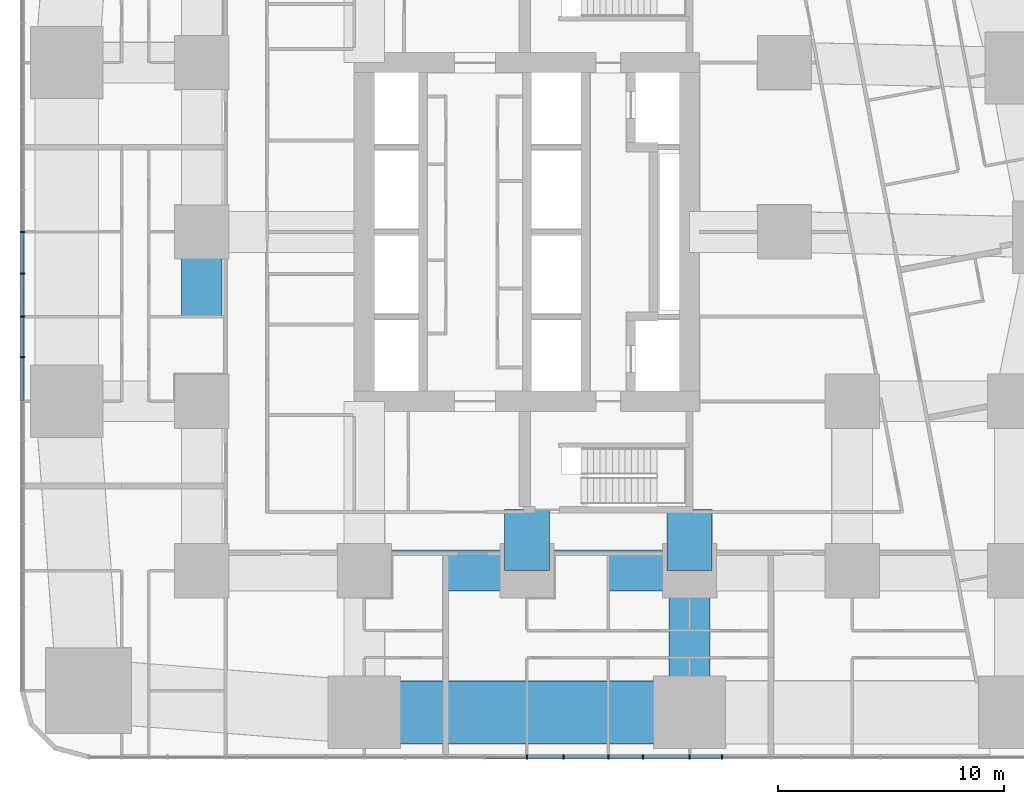
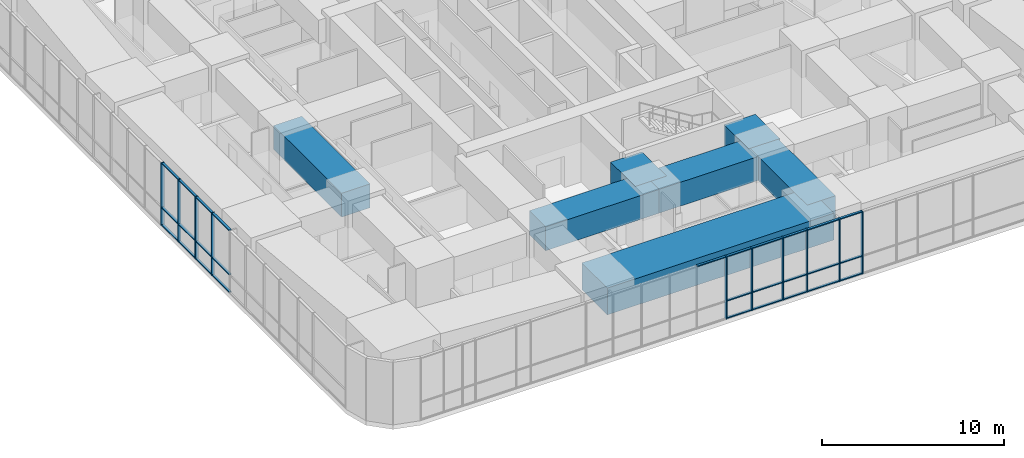
# One storey, part 3 of 23: 38 members, 7 beams, 2 elements without a shape of their own.
"""IFC4 building model written with IfcOpenShell, lengths in metres."""

from ifc_helpers import new_model, si_unit, direction, frame, origin, origin_2d, place, context, subcontext, project, spatial, rectangle, extrude, material, material_profile, profile_set, type_object, element, aggregate, save


model = new_model("IFC4")

# Units and contexts
model_context = context("Model", 3, precision=1e-05, world=origin(), true_north=direction((0.0, 1.0)))
body_context = subcontext(model_context, "Body", "Model", "MODEL_VIEW")
ifc_project = project(units=[si_unit("LENGTHUNIT", "METRE"), si_unit("AREAUNIT", "SQUARE_METRE"), si_unit("VOLUMEUNIT", "CUBIC_METRE"), si_unit("PLANEANGLEUNIT", "RADIAN"), si_unit("MASSUNIT", "GRAM", prefix="KILO")], contexts=[model_context])

# Site, building, storey
site_placement = place(None, origin())
site = spatial("IfcSite", under=ifc_project, at=site_placement, CompositionType="ELEMENT")
building_placement = place(site_placement, origin())
building = spatial("IfcBuilding", under=site, at=building_placement, Name="Sheger Commons Tower", CompositionType="ELEMENT")
storey_placement = place(building_placement, frame((0.0, 0.0, 5.60009765625)))
storey = spatial("IfcBuildingStorey", under=building, at=storey_placement, Name="L01", CompositionType="ELEMENT", Elevation=5.60009765625)

# Beams
ifc_material_1 = material(Name="Concrete C50/60", Category="concrete")
ifc_material_profile_1 = material_profile(ifc_material_1, rectangle(XDim=1.800048828125, YDim=1.60009765625, at=origin_2d()), Name="RC 1800x1600")
ifc_profile_set_1 = profile_set([ifc_material_profile_1], Name="Concrete C50/60")
beam_type_1 = type_object("IfcBeamType", Name="BEAM RC 1800x1600", PredefinedType="BEAM", material=ifc_profile_set_1)
beam_1_placement = place(storey_placement, frame((14.39990234375, 7.5, 3.39990234375), z_axis=(1.0, 0.0, 0.0), x_axis=(0.0, 1.0, 0.0)))
element("IfcBeam", 1, at=beam_1_placement, inside=storey, type_object=beam_type_1, Name="Beam 3/B-4/B under L02", PredefinedType="BEAM", context=body_context, shape_type="SweptSolid", body=[
    extrude(rectangle(XDim=1.800048828125, YDim=1.60009765625, at=origin_2d()), origin(), (0.0, 0.0, 1.0), 7.2001953125),
])
beam_2_placement = place(storey_placement, frame((21.60009765625, 7.5, 3.39990234375), z_axis=(1.0, 0.0, 0.0), x_axis=(0.0, 1.0, 0.0)))
element("IfcBeam", 2, at=beam_2_placement, inside=storey, type_object=beam_type_1, Name="Beam 4/B-5/B under L02", PredefinedType="BEAM", context=body_context, shape_type="SweptSolid", body=[
    extrude(rectangle(XDim=1.800048828125, YDim=1.60009765625, at=origin_2d()), origin(), (0.0, 0.0, 1.0), 7.199951171875),
])
beam_3_placement = place(storey_placement, frame((7.199951171875, 15.0, 3.39990234375), z_axis=(0.0, 1.0, 0.0), x_axis=(-1.0, 0.0, 0.0)))
element("IfcBeam", 3, at=beam_3_placement, inside=storey, type_object=beam_type_1, Name="Beam 2/C-2/D under L02", PredefinedType="BEAM", context=body_context, shape_type="SweptSolid", body=[
    extrude(rectangle(XDim=1.800048828125, YDim=1.60009765625, at=origin_2d()), origin(), (0.0, 0.0, 1.0), 7.5),
])
beam_4_placement = place(storey_placement, frame((28.800048828125, 1.22509765625, 3.39990234375), z_axis=(0.0, 1.0, 0.0), x_axis=(-1.0, 0.0, 0.0)))
element("IfcBeam", 4, at=beam_4_placement, inside=storey, type_object=beam_type_1, Name="Beam 5/A-5/B under L02", PredefinedType="BEAM", context=body_context, shape_type="SweptSolid", body=[
    extrude(rectangle(XDim=1.800048828125, YDim=1.60009765625, at=origin_2d()), origin(), (0.0, 0.0, 1.0), 6.27490234375),
])
ifc_material_2 = material(Name="Concrete C50/60", Category="concrete")
ifc_material_profile_2 = material_profile(ifc_material_2, rectangle(XDim=2.0, YDim=2.0, at=origin_2d()), Name="RC 2000x2000")
ifc_profile_set_2 = profile_set([ifc_material_profile_2], Name="Concrete C50/60")
beam_type_2 = type_object("IfcBeamType", Name="BEAM RC 2000x2000", PredefinedType="BEAM", material=ifc_profile_set_2)
for number, where, z_axis, x_axis, name in (
    (5, (21.60009765625, 7.5, 3.199951171875), (0.0, 1.0, 0.0), (-1.0, 0.0, 0.0), "Beam 4/B-21.600,10.200 under L02"),
    (6, (28.800048828125, 7.5, 3.199951171875), (0.0, 1.0, 0.0), (-1.0, 0.0, 0.0), "Beam 5/B-28.800,10.200 under L02"),
):
    element("IfcBeam", number, at=place(storey_placement, frame(where, z_axis=z_axis, x_axis=x_axis)), inside=storey, type_object=beam_type_2, Name=name, PredefinedType="BEAM", context=body_context, shape_type="SweptSolid", body=[
        extrude(rectangle(XDim=2.0, YDim=2.0, at=origin_2d()), origin(), (0.0, 0.0, 1.0), 2.699951171875),
    ])

# Curtain wall, members
ifc_material_3 = material(Name="Black aluminium curtain wall, dark tinted glazing", Category="aluminium")
curtain_wall_type = type_object("IfcCurtainWallType", Name="CURTAIN WALL CW2 HEALTH CENTRE", PredefinedType="USERDEFINED", material=ifc_material_3)
curtain_wall_1_placement = place(storey_placement, origin())
curtain_wall_1 = element("IfcCurtainWall", 7, at=curtain_wall_1_placement, inside=storey, type_object=curtain_wall_type, Name="Curtain Wall Cw2 Health Centre S1 L01", ObjectType="STICK CURTAIN WALL", PredefinedType="USERDEFINED")
ifc_material_4 = material(Name="Black anodised aluminium", Category="aluminium")
ifc_material_profile_3 = material_profile(ifc_material_4, rectangle(XDim=0.199951171875, YDim=0.06494140625, at=origin_2d()), Name="AL 65x200")
ifc_profile_set_3 = profile_set([ifc_material_profile_3], Name="Black anodised aluminium")
member_type_1 = type_object("IfcMemberType", Name="MULLION AL 65x200", PredefinedType="MULLION", material=ifc_profile_set_3)
member_1_placement = place(storey_placement, frame((21.60009765625, -0.75, 0.0), z_axis=(0.0, 0.0, 1.0), x_axis=(0.0, 1.0, 0.0)))
member_1 = element("IfcMember", 8, at=member_1_placement, type_object=member_type_1, Name="CW2 mullion 12", PredefinedType="MULLION", context=body_context, shape_type="SweptSolid", body=[
    extrude(rectangle(XDim=0.199951171875, YDim=0.06494140625, at=origin_2d()), origin(), (0.0, 0.0, 1.0), 4.199951171875),
])
member_2_placement = place(storey_placement, frame((23.221923828125, -0.75, 0.0), z_axis=(0.0, 0.0, 1.0), x_axis=(0.0, 1.0, 0.0)))
member_2 = element("IfcMember", 9, at=member_2_placement, type_object=member_type_1, Name="CW2 mullion 13", PredefinedType="MULLION", context=body_context, shape_type="SweptSolid", body=[
    extrude(rectangle(XDim=0.199951171875, YDim=0.06494140625, at=origin_2d()), origin(), (0.0, 0.0, 1.0), 4.199951171875),
])
member_3_placement = place(storey_placement, frame((25.199951171875, -0.75, 0.0), z_axis=(0.0, 0.0, 1.0), x_axis=(0.0, 1.0, 0.0)))
member_3 = element("IfcMember", 10, at=member_3_placement, type_object=member_type_1, Name="CW2 mullion 14", PredefinedType="MULLION", context=body_context, shape_type="SweptSolid", body=[
    extrude(rectangle(XDim=0.199951171875, YDim=0.06494140625, at=origin_2d()), origin(), (0.0, 0.0, 1.0), 4.199951171875),
])
member_4_placement = place(storey_placement, frame((26.73193359375, -0.75, 0.0), z_axis=(0.0, 0.0, 1.0), x_axis=(0.0, 1.0, 0.0)))
member_4 = element("IfcMember", 11, at=member_4_placement, type_object=member_type_1, Name="CW2 mullion 15", PredefinedType="MULLION", context=body_context, shape_type="SweptSolid", body=[
    extrude(rectangle(XDim=0.199951171875, YDim=0.06494140625, at=origin_2d()), origin(), (0.0, 0.0, 1.0), 4.199951171875),
])
member_5_placement = place(storey_placement, frame((28.800048828125, -0.75, 0.0), z_axis=(0.0, 0.0, 1.0), x_axis=(0.0, 1.0, 0.0)))
member_5 = element("IfcMember", 12, at=member_5_placement, type_object=member_type_1, Name="CW2 mullion 16", PredefinedType="MULLION", context=body_context, shape_type="SweptSolid", body=[
    extrude(rectangle(XDim=0.199951171875, YDim=0.06494140625, at=origin_2d()), origin(), (0.0, 0.0, 1.0), 4.199951171875),
])
member_6_placement = place(storey_placement, frame((30.241943359375, -0.75, 0.0), z_axis=(0.0, 0.0, 1.0), x_axis=(0.0, 1.0, 0.0)))
member_6 = element("IfcMember", 13, at=member_6_placement, type_object=member_type_1, Name="CW2 mullion 17", PredefinedType="MULLION", context=body_context, shape_type="SweptSolid", body=[
    extrude(rectangle(XDim=0.199951171875, YDim=0.06494140625, at=origin_2d()), origin(), (0.0, 0.0, 1.0), 4.199951171875),
])

curtain_wall_2_placement = place(storey_placement, origin())
curtain_wall_2 = element("IfcCurtainWall", 14, at=curtain_wall_2_placement, inside=storey, type_object=curtain_wall_type, Name="Curtain Wall Cw2 Health Centre W1 L01", ObjectType="STICK CURTAIN WALL", PredefinedType="USERDEFINED")
member_7_placement = place(storey_placement, frame((-0.75, 22.5, 0.0), z_axis=(0.0, 0.0, 1.0), x_axis=(1.0, 0.0, 0.0)))
member_7 = element("IfcMember", 15, at=member_7_placement, type_object=member_type_1, Name="CW2 mullion 11", PredefinedType="MULLION", context=body_context, shape_type="SweptSolid", body=[
    extrude(rectangle(XDim=0.199951171875, YDim=0.06494140625, at=origin_2d()), origin(), (0.0, 0.0, 1.0), 4.199951171875),
])
member_8_placement = place(storey_placement, frame((-0.75, 20.65087890625, 0.0), z_axis=(0.0, 0.0, 1.0), x_axis=(1.0, 0.0, 0.0)))
member_8 = element("IfcMember", 16, at=member_8_placement, type_object=member_type_1, Name="CW2 mullion 12", PredefinedType="MULLION", context=body_context, shape_type="SweptSolid", body=[
    extrude(rectangle(XDim=0.199951171875, YDim=0.06494140625, at=origin_2d()), origin(), (0.0, 0.0, 1.0), 4.199951171875),
])
member_9_placement = place(storey_placement, frame((-0.75, 18.75, 0.0), z_axis=(0.0, 0.0, 1.0), x_axis=(1.0, 0.0, 0.0)))
member_9 = element("IfcMember", 17, at=member_9_placement, type_object=member_type_1, Name="CW2 mullion 13", PredefinedType="MULLION", context=body_context, shape_type="SweptSolid", body=[
    extrude(rectangle(XDim=0.199951171875, YDim=0.06494140625, at=origin_2d()), origin(), (0.0, 0.0, 1.0), 4.199951171875),
])
member_10_placement = place(storey_placement, frame((-0.75, 16.9541015625, 0.0), z_axis=(0.0, 0.0, 1.0), x_axis=(1.0, 0.0, 0.0)))
member_10 = element("IfcMember", 18, at=member_10_placement, type_object=member_type_1, Name="CW2 mullion 14", PredefinedType="MULLION", context=body_context, shape_type="SweptSolid", body=[
    extrude(rectangle(XDim=0.199951171875, YDim=0.06494140625, at=origin_2d()), origin(), (0.0, 0.0, 1.0), 4.199951171875),
])

# Beam
ifc_material_5 = material(Name="Concrete C50/60", Category="concrete")
ifc_material_profile_4 = material_profile(ifc_material_5, rectangle(XDim=2.800048828125, YDim=1.800048828125, at=origin_2d()), Name="RC 2800x1800")
ifc_profile_set_4 = profile_set([ifc_material_profile_4], Name="Concrete C50/60")
beam_type_3 = type_object("IfcBeamType", Name="SPANDREL RC 2800x1800", PredefinedType="SPANDREL", material=ifc_profile_set_4)
beam_5_placement = place(storey_placement, frame((14.39990234375, 1.22509765625, 3.2998046875), z_axis=(1.0, 0.0, 0.0), x_axis=(0.0, 1.0, 0.0)))
element("IfcBeam", 19, at=beam_5_placement, inside=storey, type_object=beam_type_3, Name="Beam 3/A-5/A under L02", PredefinedType="SPANDREL", context=body_context, shape_type="SweptSolid", body=[
    extrude(rectangle(XDim=2.800048828125, YDim=1.800048828125, at=origin_2d()), origin(), (0.0, 0.0, 1.0), 14.400146484375),
])

# Member
ifc_material_6 = material(Name="Black anodised aluminium", Category="aluminium")
ifc_material_profile_5 = material_profile(ifc_material_6, rectangle(XDim=0.14990234375, YDim=0.06494140625, at=origin_2d()), Name="AL 65x150")
ifc_profile_set_5 = profile_set([ifc_material_profile_5], Name="Black anodised aluminium")
member_type_2 = type_object("IfcMemberType", Name="TRANSOM AL 65x150", PredefinedType="USERDEFINED", material=ifc_profile_set_5)
member_11_placement = place(storey_placement, frame((19.744384765625, -0.75, 4.16748046875), z_axis=(1.0, 0.0, 0.0), x_axis=(0.0, 1.0, 0.0)))
member_11 = element("IfcMember", 20, at=member_11_placement, type_object=member_type_2, Name="CW2 transom 11.3", ObjectType="TRANSOM", PredefinedType="USERDEFINED", context=body_context, shape_type="SweptSolid", body=[
    extrude(rectangle(XDim=0.14990234375, YDim=0.06494140625, at=origin_2d()), origin(), (0.0, 0.0, 1.0), 1.822998046875),
])

member_12_placement = place(storey_placement, frame((21.632568359375, -0.75, 0.032470703125), z_axis=(1.0, 0.0, 0.0), x_axis=(0.0, 1.0, 0.0)))
member_12 = element("IfcMember", 21, at=member_12_placement, type_object=member_type_2, Name="CW2 transom 12.1", ObjectType="TRANSOM", PredefinedType="USERDEFINED", context=body_context, shape_type="SweptSolid", body=[
    extrude(rectangle(XDim=0.14990234375, YDim=0.06494140625, at=origin_2d()), origin(), (0.0, 0.0, 1.0), 1.556884765625),
])

member_13_placement = place(storey_placement, frame((21.632568359375, -0.75, 1.199951171875), z_axis=(1.0, 0.0, 0.0), x_axis=(0.0, 1.0, 0.0)))
member_13 = element("IfcMember", 22, at=member_13_placement, type_object=member_type_2, Name="CW2 transom 12.2", ObjectType="TRANSOM", PredefinedType="USERDEFINED", context=body_context, shape_type="SweptSolid", body=[
    extrude(rectangle(XDim=0.14990234375, YDim=0.06494140625, at=origin_2d()), origin(), (0.0, 0.0, 1.0), 1.556884765625),
])

member_14_placement = place(storey_placement, frame((21.632568359375, -0.75, 4.16748046875), z_axis=(1.0, 0.0, 0.0), x_axis=(0.0, 1.0, 0.0)))
member_14 = element("IfcMember", 23, at=member_14_placement, type_object=member_type_2, Name="CW2 transom 12.3", ObjectType="TRANSOM", PredefinedType="USERDEFINED", context=body_context, shape_type="SweptSolid", body=[
    extrude(rectangle(XDim=0.14990234375, YDim=0.06494140625, at=origin_2d()), origin(), (0.0, 0.0, 1.0), 1.556884765625),
])

member_15_placement = place(storey_placement, frame((23.25439453125, -0.75, 0.032470703125), z_axis=(1.0, 0.0, 0.0), x_axis=(0.0, 1.0, 0.0)))
member_15 = element("IfcMember", 24, at=member_15_placement, type_object=member_type_2, Name="CW2 transom 13.1", ObjectType="TRANSOM", PredefinedType="USERDEFINED", context=body_context, shape_type="SweptSolid", body=[
    extrude(rectangle(XDim=0.14990234375, YDim=0.06494140625, at=origin_2d()), origin(), (0.0, 0.0, 1.0), 1.9130859375),
])

member_16_placement = place(storey_placement, frame((23.25439453125, -0.75, 1.199951171875), z_axis=(1.0, 0.0, 0.0), x_axis=(0.0, 1.0, 0.0)))
member_16 = element("IfcMember", 25, at=member_16_placement, type_object=member_type_2, Name="CW2 transom 13.2", ObjectType="TRANSOM", PredefinedType="USERDEFINED", context=body_context, shape_type="SweptSolid", body=[
    extrude(rectangle(XDim=0.14990234375, YDim=0.06494140625, at=origin_2d()), origin(), (0.0, 0.0, 1.0), 1.9130859375),
])

member_17_placement = place(storey_placement, frame((23.25439453125, -0.75, 4.16748046875), z_axis=(1.0, 0.0, 0.0), x_axis=(0.0, 1.0, 0.0)))
member_17 = element("IfcMember", 26, at=member_17_placement, type_object=member_type_2, Name="CW2 transom 13.3", ObjectType="TRANSOM", PredefinedType="USERDEFINED", context=body_context, shape_type="SweptSolid", body=[
    extrude(rectangle(XDim=0.14990234375, YDim=0.06494140625, at=origin_2d()), origin(), (0.0, 0.0, 1.0), 1.9130859375),
])

member_18_placement = place(storey_placement, frame((25.232421875, -0.75, 0.032470703125), z_axis=(1.0, 0.0, 0.0), x_axis=(0.0, 1.0, 0.0)))
member_18 = element("IfcMember", 27, at=member_18_placement, type_object=member_type_2, Name="CW2 transom 14.1", ObjectType="TRANSOM", PredefinedType="USERDEFINED", context=body_context, shape_type="SweptSolid", body=[
    extrude(rectangle(XDim=0.14990234375, YDim=0.06494140625, at=origin_2d()), origin(), (0.0, 0.0, 1.0), 1.467041015625),
])

member_19_placement = place(storey_placement, frame((25.232421875, -0.75, 1.199951171875), z_axis=(1.0, 0.0, 0.0), x_axis=(0.0, 1.0, 0.0)))
member_19 = element("IfcMember", 28, at=member_19_placement, type_object=member_type_2, Name="CW2 transom 14.2", ObjectType="TRANSOM", PredefinedType="USERDEFINED", context=body_context, shape_type="SweptSolid", body=[
    extrude(rectangle(XDim=0.14990234375, YDim=0.06494140625, at=origin_2d()), origin(), (0.0, 0.0, 1.0), 1.467041015625),
])

member_20_placement = place(storey_placement, frame((25.232421875, -0.75, 4.16748046875), z_axis=(1.0, 0.0, 0.0), x_axis=(0.0, 1.0, 0.0)))
member_20 = element("IfcMember", 29, at=member_20_placement, type_object=member_type_2, Name="CW2 transom 14.3", ObjectType="TRANSOM", PredefinedType="USERDEFINED", context=body_context, shape_type="SweptSolid", body=[
    extrude(rectangle(XDim=0.14990234375, YDim=0.06494140625, at=origin_2d()), origin(), (0.0, 0.0, 1.0), 1.467041015625),
])

member_21_placement = place(storey_placement, frame((26.764404296875, -0.75, 0.032470703125), z_axis=(1.0, 0.0, 0.0), x_axis=(0.0, 1.0, 0.0)))
member_21 = element("IfcMember", 30, at=member_21_placement, type_object=member_type_2, Name="CW2 transom 15.1", ObjectType="TRANSOM", PredefinedType="USERDEFINED", context=body_context, shape_type="SweptSolid", body=[
    extrude(rectangle(XDim=0.14990234375, YDim=0.06494140625, at=origin_2d()), origin(), (0.0, 0.0, 1.0), 2.003173828125),
])

member_22_placement = place(storey_placement, frame((26.764404296875, -0.75, 1.199951171875), z_axis=(1.0, 0.0, 0.0), x_axis=(0.0, 1.0, 0.0)))
member_22 = element("IfcMember", 31, at=member_22_placement, type_object=member_type_2, Name="CW2 transom 15.2", ObjectType="TRANSOM", PredefinedType="USERDEFINED", context=body_context, shape_type="SweptSolid", body=[
    extrude(rectangle(XDim=0.14990234375, YDim=0.06494140625, at=origin_2d()), origin(), (0.0, 0.0, 1.0), 2.003173828125),
])

member_23_placement = place(storey_placement, frame((26.764404296875, -0.75, 4.16748046875), z_axis=(1.0, 0.0, 0.0), x_axis=(0.0, 1.0, 0.0)))
member_23 = element("IfcMember", 32, at=member_23_placement, type_object=member_type_2, Name="CW2 transom 15.3", ObjectType="TRANSOM", PredefinedType="USERDEFINED", context=body_context, shape_type="SweptSolid", body=[
    extrude(rectangle(XDim=0.14990234375, YDim=0.06494140625, at=origin_2d()), origin(), (0.0, 0.0, 1.0), 2.003173828125),
])

member_24_placement = place(storey_placement, frame((28.83251953125, -0.75, 0.032470703125), z_axis=(1.0, 0.0, 0.0), x_axis=(0.0, 1.0, 0.0)))
member_24 = element("IfcMember", 33, at=member_24_placement, type_object=member_type_2, Name="CW2 transom 16.1", ObjectType="TRANSOM", PredefinedType="USERDEFINED", context=body_context, shape_type="SweptSolid", body=[
    extrude(rectangle(XDim=0.14990234375, YDim=0.06494140625, at=origin_2d()), origin(), (0.0, 0.0, 1.0), 1.376953125),
])

member_25_placement = place(storey_placement, frame((28.83251953125, -0.75, 1.199951171875), z_axis=(1.0, 0.0, 0.0), x_axis=(0.0, 1.0, 0.0)))
member_25 = element("IfcMember", 34, at=member_25_placement, type_object=member_type_2, Name="CW2 transom 16.2", ObjectType="TRANSOM", PredefinedType="USERDEFINED", context=body_context, shape_type="SweptSolid", body=[
    extrude(rectangle(XDim=0.14990234375, YDim=0.06494140625, at=origin_2d()), origin(), (0.0, 0.0, 1.0), 1.376953125),
])

member_26_placement = place(storey_placement, frame((28.83251953125, -0.75, 4.16748046875), z_axis=(1.0, 0.0, 0.0), x_axis=(0.0, 1.0, 0.0)))
member_26 = element("IfcMember", 35, at=member_26_placement, type_object=member_type_2, Name="CW2 transom 16.3", ObjectType="TRANSOM", PredefinedType="USERDEFINED", context=body_context, shape_type="SweptSolid", body=[
    extrude(rectangle(XDim=0.14990234375, YDim=0.06494140625, at=origin_2d()), origin(), (0.0, 0.0, 1.0), 1.376953125),
])

aggregate(curtain_wall_1, [member_1, member_2, member_3, member_4, member_5, member_6, member_11, member_12, member_13, member_14, member_15, member_16, member_17, member_18, member_19, member_20, member_21, member_22, member_23, member_24, member_25, member_26])

member_27_placement = place(storey_placement, frame((-0.75, 22.467529296875, 0.032470703125), z_axis=(0.0, -1.0, 0.0), x_axis=(1.0, 0.0, 0.0)))
member_27 = element("IfcMember", 36, at=member_27_placement, type_object=member_type_2, Name="CW2 transom 11.1", ObjectType="TRANSOM", PredefinedType="USERDEFINED", context=body_context, shape_type="SweptSolid", body=[
    extrude(rectangle(XDim=0.14990234375, YDim=0.06494140625, at=origin_2d()), origin(), (0.0, 0.0, 1.0), 1.783935546875),
])

member_28_placement = place(storey_placement, frame((-0.75, 22.467529296875, 1.199951171875), z_axis=(0.0, -1.0, 0.0), x_axis=(1.0, 0.0, 0.0)))
member_28 = element("IfcMember", 37, at=member_28_placement, type_object=member_type_2, Name="CW2 transom 11.2", ObjectType="TRANSOM", PredefinedType="USERDEFINED", context=body_context, shape_type="SweptSolid", body=[
    extrude(rectangle(XDim=0.14990234375, YDim=0.06494140625, at=origin_2d()), origin(), (0.0, 0.0, 1.0), 1.783935546875),
])

member_29_placement = place(storey_placement, frame((-0.75, 22.467529296875, 4.16748046875), z_axis=(0.0, -1.0, 0.0), x_axis=(1.0, 0.0, 0.0)))
member_29 = element("IfcMember", 38, at=member_29_placement, type_object=member_type_2, Name="CW2 transom 11.3", ObjectType="TRANSOM", PredefinedType="USERDEFINED", context=body_context, shape_type="SweptSolid", body=[
    extrude(rectangle(XDim=0.14990234375, YDim=0.06494140625, at=origin_2d()), origin(), (0.0, 0.0, 1.0), 1.783935546875),
])

member_30_placement = place(storey_placement, frame((-0.75, 20.618408203125, 0.032470703125), z_axis=(0.0, -1.0, 0.0), x_axis=(1.0, 0.0, 0.0)))
member_30 = element("IfcMember", 39, at=member_30_placement, type_object=member_type_2, Name="CW2 transom 12.1", ObjectType="TRANSOM", PredefinedType="USERDEFINED", context=body_context, shape_type="SweptSolid", body=[
    extrude(rectangle(XDim=0.14990234375, YDim=0.06494140625, at=origin_2d()), origin(), (0.0, 0.0, 1.0), 1.8359375),
])

member_31_placement = place(storey_placement, frame((-0.75, 20.618408203125, 1.199951171875), z_axis=(0.0, -1.0, 0.0), x_axis=(1.0, 0.0, 0.0)))
member_31 = element("IfcMember", 40, at=member_31_placement, type_object=member_type_2, Name="CW2 transom 12.2", ObjectType="TRANSOM", PredefinedType="USERDEFINED", context=body_context, shape_type="SweptSolid", body=[
    extrude(rectangle(XDim=0.14990234375, YDim=0.06494140625, at=origin_2d()), origin(), (0.0, 0.0, 1.0), 1.8359375),
])

member_32_placement = place(storey_placement, frame((-0.75, 20.618408203125, 4.16748046875), z_axis=(0.0, -1.0, 0.0), x_axis=(1.0, 0.0, 0.0)))
member_32 = element("IfcMember", 41, at=member_32_placement, type_object=member_type_2, Name="CW2 transom 12.3", ObjectType="TRANSOM", PredefinedType="USERDEFINED", context=body_context, shape_type="SweptSolid", body=[
    extrude(rectangle(XDim=0.14990234375, YDim=0.06494140625, at=origin_2d()), origin(), (0.0, 0.0, 1.0), 1.8359375),
])

member_33_placement = place(storey_placement, frame((-0.75, 18.717529296875, 0.032470703125), z_axis=(0.0, -1.0, 0.0), x_axis=(1.0, 0.0, 0.0)))
member_33 = element("IfcMember", 42, at=member_33_placement, type_object=member_type_2, Name="CW2 transom 13.1", ObjectType="TRANSOM", PredefinedType="USERDEFINED", context=body_context, shape_type="SweptSolid", body=[
    extrude(rectangle(XDim=0.14990234375, YDim=0.06494140625, at=origin_2d()), origin(), (0.0, 0.0, 1.0), 1.73095703125),
])

member_34_placement = place(storey_placement, frame((-0.75, 18.717529296875, 1.199951171875), z_axis=(0.0, -1.0, 0.0), x_axis=(1.0, 0.0, 0.0)))
member_34 = element("IfcMember", 43, at=member_34_placement, type_object=member_type_2, Name="CW2 transom 13.2", ObjectType="TRANSOM", PredefinedType="USERDEFINED", context=body_context, shape_type="SweptSolid", body=[
    extrude(rectangle(XDim=0.14990234375, YDim=0.06494140625, at=origin_2d()), origin(), (0.0, 0.0, 1.0), 1.73095703125),
])

member_35_placement = place(storey_placement, frame((-0.75, 18.717529296875, 4.16748046875), z_axis=(0.0, -1.0, 0.0), x_axis=(1.0, 0.0, 0.0)))
member_35 = element("IfcMember", 44, at=member_35_placement, type_object=member_type_2, Name="CW2 transom 13.3", ObjectType="TRANSOM", PredefinedType="USERDEFINED", context=body_context, shape_type="SweptSolid", body=[
    extrude(rectangle(XDim=0.14990234375, YDim=0.06494140625, at=origin_2d()), origin(), (0.0, 0.0, 1.0), 1.73095703125),
])

member_36_placement = place(storey_placement, frame((-0.75, 16.92138671875, 0.032470703125), z_axis=(0.0, -1.0, 0.0), x_axis=(1.0, 0.0, 0.0)))
member_36 = element("IfcMember", 45, at=member_36_placement, type_object=member_type_2, Name="CW2 transom 14.1", ObjectType="TRANSOM", PredefinedType="USERDEFINED", context=body_context, shape_type="SweptSolid", body=[
    extrude(rectangle(XDim=0.14990234375, YDim=0.06494140625, at=origin_2d()), origin(), (0.0, 0.0, 1.0), 1.888916015625),
])

member_37_placement = place(storey_placement, frame((-0.75, 16.92138671875, 1.199951171875), z_axis=(0.0, -1.0, 0.0), x_axis=(1.0, 0.0, 0.0)))
member_37 = element("IfcMember", 46, at=member_37_placement, type_object=member_type_2, Name="CW2 transom 14.2", ObjectType="TRANSOM", PredefinedType="USERDEFINED", context=body_context, shape_type="SweptSolid", body=[
    extrude(rectangle(XDim=0.14990234375, YDim=0.06494140625, at=origin_2d()), origin(), (0.0, 0.0, 1.0), 1.888916015625),
])

member_38_placement = place(storey_placement, frame((-0.75, 16.92138671875, 4.16748046875), z_axis=(0.0, -1.0, 0.0), x_axis=(1.0, 0.0, 0.0)))
member_38 = element("IfcMember", 47, at=member_38_placement, type_object=member_type_2, Name="CW2 transom 14.3", ObjectType="TRANSOM", PredefinedType="USERDEFINED", context=body_context, shape_type="SweptSolid", body=[
    extrude(rectangle(XDim=0.14990234375, YDim=0.06494140625, at=origin_2d()), origin(), (0.0, 0.0, 1.0), 1.888916015625),
])

aggregate(curtain_wall_2, [member_7, member_8, member_9, member_10, member_27, member_28, member_29, member_30, member_31, member_32, member_33, member_34, member_35, member_36, member_37, member_38])

save(model, "model.ifc")
